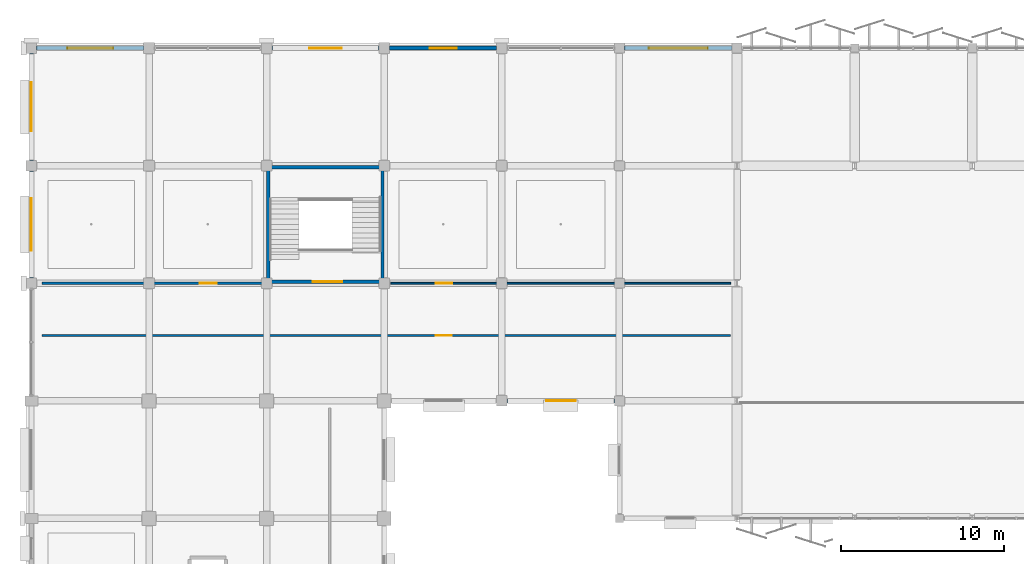
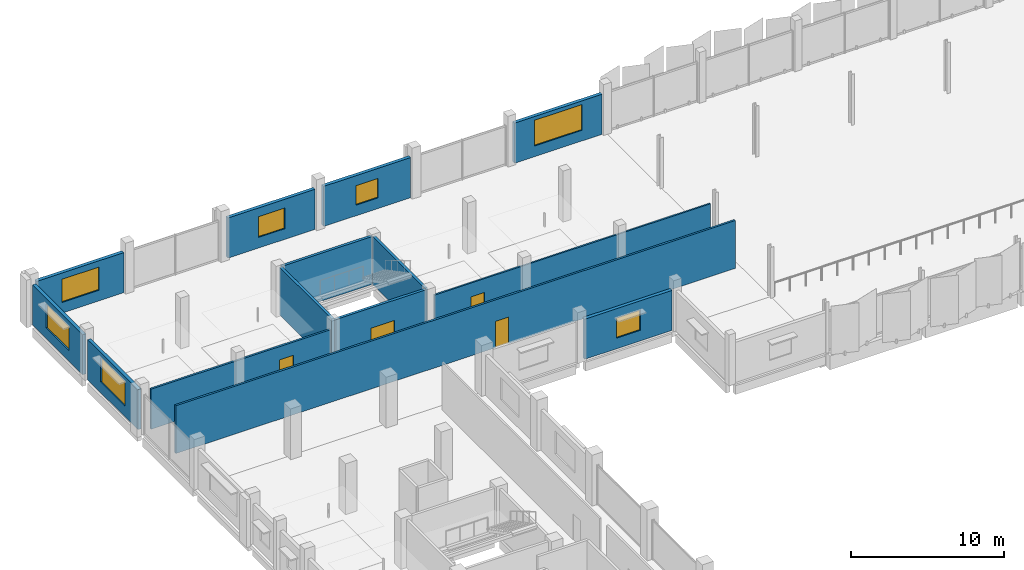
# One storey, part 81 of 107: 14 walls, 7 windows, 4 doors, 11 openings.
"""IFC4 building model written with IfcOpenShell, lengths in metres."""

import ifcopenshell
import ifcopenshell.guid

model = None  # the IFC model being written
_history = None  # IfcOwnerHistory: only IFC2X3 demands one
_inside = {}  # id of a spatial element -> (the spatial element, [elements in it])
_under = {}  # id of a project, library or spatial element -> (it, [spatial elements below it])
_declared = {}  # id of a project -> (the project, [libraries it declares])
_typed = {}  # id of a type object -> (the type object, [elements of that type])
_made_of = {}  # id of a material, layer set ... -> (it, [elements and type objects made of it])


def new_model(schema):
    """Start an empty IFC model of exactly this schema.

    Asked for "IFC4X3", IfcOpenShell would pick the latest addendum, in which some entities
    have other attributes; the version numbers below select the first issue.
    IFC2X3 requires an IfcOwnerHistory on every rooted entity: one is made here for all.
    """
    global model, _history
    if schema == "IFC4X3":
        model = ifcopenshell.file(schema_version=(4, 3, 0, 0))
    else:
        model = ifcopenshell.file(schema=schema)
    _inside.clear()
    _under.clear()
    _declared.clear()
    _typed.clear()
    _made_of.clear()
    _history = None
    if model.schema == "IFC2X3":
        org = make("IfcOrganization", Name="unknown")
        user = make(
            "IfcPersonAndOrganization",
            ThePerson=make("IfcPerson", FamilyName="unknown"),
            TheOrganization=org,
        )
        app = make(
            "IfcApplication",
            ApplicationDeveloper=org,
            Version="unknown",
            ApplicationFullName="unknown",
            ApplicationIdentifier="unknown",
        )
        _history = make(
            "IfcOwnerHistory",
            OwningUser=user,
            OwningApplication=app,
            ChangeAction="ADDED",
            CreationDate=0,
        )
    return model


def make(cls, **values):
    """One entity of the class cls with the attributes given. An attribute that is None is left unset."""
    return model.create_entity(
        cls, **{name: value for name, value in values.items() if value is not None}
    )


def rooted(cls, **values):
    """An entity with a GlobalId (a new one), such as an element, a storey or a relation."""
    return make(cls, GlobalId=ifcopenshell.guid.new(), OwnerHistory=_history, **values)


def si_unit(unit_type, name, prefix=None):
    """IfcSIUnit, for example si_unit("LENGTHUNIT", "METRE", prefix="MILLI")."""
    return make("IfcSIUnit", UnitType=unit_type, Prefix=prefix, Name=name)


def assignment(units):
    """IfcUnitAssignment: the units of a project."""
    return None if units is None else make("IfcUnitAssignment", Units=units)


def point(xyz):
    """IfcCartesianPoint."""
    return None if xyz is None else make("IfcCartesianPoint", Coordinates=xyz)


def direction(xyz):
    """IfcDirection."""
    return None if xyz is None else make("IfcDirection", DirectionRatios=xyz)


def frame(location, z_axis=None, x_axis=None):
    """IfcAxis2Placement3D, a coordinate frame: its origin and axes. An axis left out is left unset."""
    return make(
        "IfcAxis2Placement3D",
        Location=point(location),
        Axis=direction(z_axis),
        RefDirection=direction(x_axis),
    )


def frame_2d(location, x_axis=None):
    """IfcAxis2Placement2D, a coordinate frame in the plane: its origin and x axis."""
    return make(
        "IfcAxis2Placement2D", Location=point(location), RefDirection=direction(x_axis)
    )


def origin():
    """The frame at (0, 0, 0) with its axes left unset."""
    return frame((0.0, 0.0, 0.0))


def place(relative_to, where):
    """IfcLocalPlacement: puts the frame where relative to a parent placement (None: the world)."""
    return make(
        "IfcLocalPlacement", PlacementRelTo=relative_to, RelativePlacement=where
    )


def context(
    kind, dimensions, precision=None, world=None, true_north=None, identifier=None
):
    """IfcGeometricRepresentationContext, for example the 3D "Model" context."""
    return make(
        "IfcGeometricRepresentationContext",
        ContextIdentifier=identifier,
        ContextType=kind,
        CoordinateSpaceDimension=dimensions,
        Precision=precision,
        WorldCoordinateSystem=world,
        TrueNorth=true_north,
    )


def subcontext(parent, identifier, kind, view, scale=None):
    """IfcGeometricRepresentationSubContext, for example "Body" below "Model"."""
    return make(
        "IfcGeometricRepresentationSubContext",
        ContextIdentifier=identifier,
        ContextType=kind,
        ParentContext=parent,
        TargetScale=scale,
        TargetView=view,
    )


def project(units=None, contexts=None):
    """IfcProject with its units and contexts."""
    return rooted(
        "IfcProject",
        Name="project",
        RepresentationContexts=contexts,
        UnitsInContext=assignment(units),
    )


def spatial(cls, under=None, at=None, **own):
    """A site, building, storey or space (cls), placed at a placement, below another one or the project."""
    s = rooted(cls, ObjectPlacement=at, **own)
    if under is not None:
        _under.setdefault(under.id(), (under, []))[1].append(s)
    return s


def profile(cls, at=None, kind="AREA", **sizes):
    """A parametric profile (cls). Its sizes go by their IFC names, for example OverallWidth=200.0."""
    return make(cls, ProfileType=kind, Position=at, **sizes)


def rectangle(**sizes):
    """IfcRectangleProfileDef."""
    return profile("IfcRectangleProfileDef", **sizes)


def extrude(swept, where, along, depth):
    """IfcExtrudedAreaSolid: the profile swept, set in the frame where, extruded along a direction by depth."""
    return make(
        "IfcExtrudedAreaSolid",
        SweptArea=swept,
        Position=where,
        ExtrudedDirection=direction(along),
        Depth=depth,
    )


def shape(context_of_items, identifier, shape_type, items):
    """IfcShapeRepresentation: the items that make up one representation, for example the "Body"."""
    return make(
        "IfcShapeRepresentation",
        ContextOfItems=context_of_items,
        RepresentationIdentifier=identifier,
        RepresentationType=shape_type,
        Items=items,
    )


def material(Name=None, Category=None):
    """IfcMaterial."""
    return make("IfcMaterial", Name=Name, Category=Category)


def layer(
    of_material, thickness, ventilated=None, Name=None, Category=None, Priority=None
):
    """IfcMaterialLayer: one layer of a wall or slab, of a material (None: an air gap)."""
    return make(
        "IfcMaterialLayer",
        Material=of_material,
        LayerThickness=thickness,
        IsVentilated=ventilated,
        Name=Name,
        Category=Category,
        Priority=Priority,
    )


def layer_set(layers, Name=None):
    """IfcMaterialLayerSet."""
    return make("IfcMaterialLayerSet", MaterialLayers=layers, LayerSetName=Name)


def made_of(thing, what):
    """Note that an element or type object is made of a material, layer set ...; save() writes the relation."""
    if what is not None:
        _made_of.setdefault(what.id(), (what, []))[1].append(thing)
    return thing


def type_object(cls, material=None, **own):
    """A type object (cls), such as IfcWallType, which elements share."""
    return made_of(rooted(cls, **own), material)


def element(
    cls,
    number,
    at=None,
    inside=None,
    cuts=None,
    type_object=None,
    material=None,
    context=None,
    identifier="Body",
    shape_type=None,
    held_by="IfcProductDefinitionShape",
    body=None,
    shapes=None,
    **own,
):
    """One element of the class cls, such as IfcWall. Its Tag is "e" and its number.

    at: its placement. inside: the storey or other place that contains it. cuts: it is an
    opening in that element (IfcRelVoidsElement). A single representation is given by context,
    identifier, shape_type and body (its items); several are given by shapes. held_by: the class
    of the entity that holds the representations. save() writes the other relations.
    """
    e = rooted(cls, Tag="e%d" % number, ObjectPlacement=at, **own)
    if body is not None:
        shapes = [shape(context, identifier, shape_type, body)]
    if shapes is not None:
        e.Representation = make(held_by, Representations=shapes)
    if inside is not None:
        _inside.setdefault(inside.id(), (inside, []))[1].append(e)
    if cuts is not None:
        rooted(
            "IfcRelVoidsElement", RelatingBuildingElement=cuts, RelatedOpeningElement=e
        )
    if type_object is not None:
        _typed.setdefault(type_object.id(), (type_object, []))[1].append(e)
    return made_of(e, material)


def fill(opening, filler):
    """IfcRelFillsElement: the door or window that sits in an opening."""
    return rooted(
        "IfcRelFillsElement",
        RelatingOpeningElement=opening,
        RelatedBuildingElement=filler,
    )


def aggregate(whole, parts):
    """IfcRelAggregates: a whole, such as a stair, and the parts it consists of."""
    return rooted("IfcRelAggregates", RelatingObject=whole, RelatedObjects=parts)


def save(model, path):
    """Write the relations noted so far, then the file.

    IfcRelAggregates (storeys below a building ...), IfcRelContainedInSpatialStructure (elements
    in a storey), IfcRelDefinesByType, IfcRelAssociatesMaterial and IfcRelDeclares: one each for
    every whole, place, type object, material and project.
    """
    for whole, parts in _under.values():
        aggregate(whole, parts)
    for where, things in _inside.values():
        rooted(
            "IfcRelContainedInSpatialStructure",
            RelatedElements=things,
            RelatingStructure=where,
        )
    for kind, things in _typed.values():
        rooted("IfcRelDefinesByType", RelatedObjects=things, RelatingType=kind)
    for what, things in _made_of.values():
        rooted("IfcRelAssociatesMaterial", RelatedObjects=things, RelatingMaterial=what)
    for by, libraries in _declared.values():
        rooted("IfcRelDeclares", RelatingContext=by, RelatedDefinitions=libraries)
    model.write(path)


model = new_model("IFC4")

# Units and contexts
model_context = context("Model", 3, precision=1e-05, world=origin(), true_north=direction((0.0, 1.0)))
body_context = subcontext(model_context, "Body", "Model", "MODEL_VIEW")
ifc_project = project(units=[si_unit("LENGTHUNIT", "METRE"), si_unit("AREAUNIT", "SQUARE_METRE"), si_unit("VOLUMEUNIT", "CUBIC_METRE"), si_unit("PLANEANGLEUNIT", "RADIAN"), si_unit("MASSUNIT", "GRAM", prefix="KILO")], contexts=[model_context])

# Site, building, storey
site_placement = place(None, origin())
site = spatial("IfcSite", under=ifc_project, at=site_placement, CompositionType="ELEMENT")
building_placement = place(site_placement, origin())
building = spatial("IfcBuilding", under=site, at=building_placement, Name="Kangsadwip Square Police Headquarters", CompositionType="ELEMENT")
storey_placement = place(building_placement, frame((0.0, 0.0, 5.39990234375)))
storey = spatial("IfcBuildingStorey", under=building, at=storey_placement, Name="L01", CompositionType="ELEMENT", Elevation=5.39990234375)

# Wall, opening, door
ifc_material_1 = material(Name="Fire-rated double gypsum board acoustic stud partition", Category="masonry")
ifc_layer_1 = layer(ifc_material_1, 0.1201171875)
ifc_layer_set_1 = layer_set([ifc_layer_1], Name="Fire-rated double gypsum board acoustic stud partition")
wall_type_1 = type_object("IfcWallType", Name="AcousticPartition120", PredefinedType="PARTITIONING", material=ifc_layer_set_1)
wall_1_placement = place(storey_placement, frame((22.0, 100.800048828125, 0.0), z_axis=(0.0, 0.0, 1.0), x_axis=(1.0, 0.0, 0.0)))
wall_1 = element("IfcWall", 1, at=wall_1_placement, inside=storey, type_object=wall_type_1, Name="Interior Wall WI-L01-0731", PredefinedType="PARTITIONING", context=body_context, shape_type="SweptSolid", body=[
    extrude(rectangle(XDim=20.800048828125, YDim=0.1201171875, at=frame_2d((10.39990234375, 0.0))), origin(), (0.0, 0.0, 1.0), 3.2001953125),
])
opening_1_placement = place(wall_1_placement, frame((2.756103515625, 0.0, 0.0)))
opening_1 = element("IfcOpeningElement", 2, at=opening_1_placement, cuts=wall_1, Name="Opening ID-10B", PredefinedType="OPENING", context=body_context, shape_type="SweptSolid", body=[
    extrude(rectangle(XDim=1.0, YDim=2.10009765625, at=frame_2d((0.5, 1.050048828125))), frame((0.0, 0.070068359375, 0.0), z_axis=(0.0, -1.0, 0.0), x_axis=(1.0, 0.0, 0.0)), (0.0, 0.0, 1.0), 0.14013671875),
])
ifc_material_2 = material(Name="Solid-core seasoned teak hardwood architectural door", Category="wood")
door_type_1 = type_object("IfcDoorType", Name="OfficeDoor1000x2100", OperationType="NOTDEFINED", PredefinedType="DOOR", material=ifc_material_2)
door_1_placement = place(opening_1_placement, origin())
door_1 = element("IfcDoor", 3, at=door_1_placement, inside=storey, type_object=door_type_1, Name="Interior Door ID-L01-0161", OperationType="SINGLE_SWING_RIGHT", OverallHeight=2.10009765625, OverallWidth=1.0, PredefinedType="DOOR", context=body_context, shape_type="SweptSolid", body=[
    extrude(rectangle(XDim=1.0, YDim=2.10009765625, at=frame_2d((0.5, 1.050048828125))), frame((0.0, 0.02490234375, 0.0), z_axis=(0.0, -1.0, 0.0), x_axis=(1.0, 0.0, 0.0)), (0.0, 0.0, 1.0), 0.050048828125),
])
fill(opening_1, door_1)

ifc_material_3 = material(Name="Autoclaved aerated concrete blockwork masonry", Category="masonry")
ifc_layer_2 = layer(ifc_material_3, 0.14990234375)
ifc_layer_set_2 = layer_set([ifc_layer_2], Name="Autoclaved aerated concrete blockwork masonry")
wall_type_2 = type_object("IfcWallType", Name="BlockPartition150", PredefinedType="PARTITIONING", material=ifc_layer_set_2)
wall_2_placement = place(storey_placement, frame((0.64990234375, 100.800048828125, 0.0), z_axis=(0.0, 0.0, 1.0), x_axis=(1.0, 0.0, 0.0)))
wall_2 = element("IfcWall", 4, at=wall_2_placement, inside=storey, type_object=wall_type_2, Name="Interior Wall WI-L01-0730", PredefinedType="PARTITIONING", context=body_context, shape_type="SweptSolid", body=[
    extrude(rectangle(XDim=13.5, YDim=0.14990234375, at=frame_2d((6.75, 0.0))), origin(), (0.0, 0.0, 1.0), 3.2001953125),
])
opening_2_placement = place(wall_2_placement, frame((9.656982421875, 0.0, 0.0)))
opening_2 = element("IfcOpeningElement", 5, at=opening_2_placement, cuts=wall_2, Name="Opening ID-10A", PredefinedType="OPENING", context=body_context, shape_type="SweptSolid", body=[
    extrude(rectangle(XDim=1.050048828125, YDim=2.14990234375, at=frame_2d((0.52490234375, 1.074951171875))), frame((0.0, 0.0849609375, 0.0), z_axis=(0.0, -1.0, 0.0), x_axis=(1.0, 0.0, 0.0)), (0.0, 0.0, 1.0), 0.169921875),
])
ifc_material_4 = material(Name="Solid-core seasoned teak hardwood architectural door", Category="wood")
door_type_2 = type_object("IfcDoorType", Name="OfficeDoor1050x2150", OperationType="NOTDEFINED", PredefinedType="DOOR", material=ifc_material_4)
door_2_placement = place(opening_2_placement, origin())
door_2 = element("IfcDoor", 6, at=door_2_placement, inside=storey, type_object=door_type_2, Name="Interior Door ID-L01-0160", OperationType="SINGLE_SWING_LEFT", OverallHeight=2.14990234375, OverallWidth=1.050048828125, PredefinedType="DOOR", context=body_context, shape_type="SweptSolid", body=[
    extrude(rectangle(XDim=1.050048828125, YDim=2.14990234375, at=frame_2d((0.52490234375, 1.074951171875))), frame((0.0, 0.02490234375, 0.0), z_axis=(0.0, -1.0, 0.0), x_axis=(1.0, 0.0, 0.0)), (0.0, 0.0, 1.0), 0.050048828125),
])
fill(opening_2, door_2)

wall_3_placement = place(storey_placement, frame((0.64990234375, 97.60009765625, 0.0), z_axis=(0.0, 0.0, 1.0), x_axis=(1.0, 0.0, 0.0)))
wall_3 = element("IfcWall", 7, at=wall_3_placement, inside=storey, type_object=wall_type_2, Name="Interior Wall WI-L01-0732", PredefinedType="PARTITIONING", context=body_context, shape_type="SweptSolid", body=[
    extrude(rectangle(XDim=42.150146484375, YDim=0.14990234375, at=frame_2d((21.0751953125, 0.0))), origin(), (0.0, 0.0, 1.0), 3.81005859375),
])
opening_3_placement = place(wall_3_placement, frame((24.10009765625, 0.0, 0.0)))
opening_3 = element("IfcOpeningElement", 8, at=opening_3_placement, cuts=wall_3, Name="Opening ID-09A", PredefinedType="OPENING", context=body_context, shape_type="SweptSolid", body=[
    extrude(rectangle(XDim=0.97998046875, YDim=2.10009765625, at=frame_2d((0.489990234375, 1.050048828125))), frame((0.0, 0.0849609375, 0.0), z_axis=(0.0, -1.0, 0.0), x_axis=(1.0, 0.0, 0.0)), (0.0, 0.0, 1.0), 0.169921875),
])
ifc_material_5 = material(Name="Solid-core seasoned teak hardwood architectural door", Category="wood")
door_type_3 = type_object("IfcDoorType", Name="OfficeDoor980x2100", OperationType="NOTDEFINED", PredefinedType="DOOR", material=ifc_material_5)
door_3_placement = place(opening_3_placement, origin())
door_3 = element("IfcDoor", 9, at=door_3_placement, inside=storey, type_object=door_type_3, Name="Interior Door ID-L01-0162", OperationType="SINGLE_SWING_LEFT", OverallHeight=2.10009765625, OverallWidth=0.97998046875, PredefinedType="DOOR", context=body_context, shape_type="SweptSolid", body=[
    extrude(rectangle(XDim=0.97998046875, YDim=2.10009765625, at=frame_2d((0.489990234375, 1.050048828125))), frame((0.0, 0.02490234375, 0.0), z_axis=(0.0, -1.0, 0.0), x_axis=(1.0, 0.0, 0.0)), (0.0, 0.0, 1.0), 0.050048828125),
])
fill(opening_3, door_3)

# Wall, opening, window
ifc_material_6 = material(Name="Glazed architectural terracotta masonry rainscreen", Category="masonry")
ifc_layer_3 = layer(ifc_material_6, 0.25)
ifc_layer_set_3 = layer_set([ifc_layer_3], Name="Glazed architectural terracotta masonry rainscreen")
wall_type_3 = type_object("IfcWallType", Name="ChicagoTerracottaWall250", PredefinedType="SOLIDWALL", material=ifc_layer_set_3)
wall_4_placement = place(storey_placement, frame((29.1201171875, 93.60009765625, 0.0), z_axis=(0.0, 0.0, 1.0), x_axis=(1.0, 0.0, 0.0)))
wall_4 = element("IfcWall", 10, at=wall_4_placement, inside=storey, type_object=wall_type_3, Name="Exterior Wall WE-L01-238", PredefinedType="SOLIDWALL", context=body_context, shape_type="SweptSolid", body=[
    extrude(rectangle(XDim=6.5849609375, YDim=0.25, at=frame_2d((3.29248046875, 0.0))), origin(), (0.0, 0.0, 1.0), 3.195068359375),
])
opening_4_placement = place(wall_4_placement, frame((2.392578125, 0.0, 0.85009765625)))
opening_4 = element("IfcOpeningElement", 11, at=opening_4_placement, cuts=wall_4, Name="Opening WN-10", PredefinedType="OPENING", context=body_context, shape_type="SweptSolid", body=[
    extrude(rectangle(XDim=1.800048828125, YDim=1.60009765625, at=frame_2d((0.89990234375, 0.800048828125))), frame((0.0, 0.135009765625, 0.0), z_axis=(0.0, -1.0, 0.0), x_axis=(1.0, 0.0, 0.0)), (0.0, 0.0, 1.0), 0.27001953125),
])
ifc_material_7 = material(Name="Double-glazed solar-control low-E safety glass", Category="glass")
window_type_1 = type_object("IfcWindowType", Name="LabCleanViewWin1800x1600", PartitioningType="DOUBLE_PANEL_VERTICAL", PredefinedType="WINDOW", material=ifc_material_7)
window_1_placement = place(opening_4_placement, origin())
window_1 = element("IfcWindow", 12, at=window_1_placement, inside=storey, type_object=window_type_1, Name="Window WN-L01-0091", OverallHeight=1.60009765625, OverallWidth=1.800048828125, PartitioningType="SINGLE_PANEL", PredefinedType="WINDOW", context=body_context, shape_type="SweptSolid", body=[
    extrude(rectangle(XDim=1.800048828125, YDim=1.60009765625, at=frame_2d((0.89990234375, 0.800048828125))), frame((0.0, 0.030029296875, 0.0), z_axis=(0.0, -1.0, 0.0), x_axis=(1.0, 0.0, 0.0)), (0.0, 0.0, 1.0), 0.06005859375),
])
fill(opening_4, window_1)

wall_5_placement = place(storey_placement, frame((0.320068359375, 115.199951171875, 0.0), z_axis=(0.0, 0.0, 1.0), x_axis=(1.0, 0.0, 0.0)))
wall_5 = element("IfcWall", 13, at=wall_5_placement, inside=storey, type_object=wall_type_3, Name="Exterior Wall WE-L01-239", PredefinedType="SOLIDWALL", context=body_context, shape_type="SweptSolid", body=[
    extrude(rectangle(XDim=6.559814453125, YDim=0.25, at=frame_2d((3.27978515625, 0.0))), origin(), (0.0, 0.0, 1.0), 3.195068359375),
])
opening_5_placement = place(wall_5_placement, frame((1.8798828125, 0.0, 0.85009765625)))
opening_5 = element("IfcOpeningElement", 14, at=opening_5_placement, cuts=wall_5, Name="Opening WN-05", PredefinedType="OPENING", context=body_context, shape_type="SweptSolid", body=[
    extrude(rectangle(XDim=2.800048828125, YDim=1.85009765625, at=frame_2d((1.39990234375, 0.925048828125))), frame((0.0, 0.135009765625, 0.0), z_axis=(0.0, -1.0, 0.0), x_axis=(1.0, 0.0, 0.0)), (0.0, 0.0, 1.0), 0.27001953125),
])
ifc_material_8 = material(Name="Double-glazed solar-control low-E safety glass", Category="glass")
window_type_2 = type_object("IfcWindowType", Name="ChicagoDoubleMullWin2800x1850", PartitioningType="DOUBLE_PANEL_VERTICAL", PredefinedType="WINDOW", material=ifc_material_8)
window_2_placement = place(opening_5_placement, origin())
window_2 = element("IfcWindow", 15, at=window_2_placement, inside=storey, type_object=window_type_2, Name="Window WN-L01-0092", OverallHeight=1.85009765625, OverallWidth=2.800048828125, PartitioningType="SINGLE_PANEL", PredefinedType="WINDOW", context=body_context, shape_type="SweptSolid", body=[
    extrude(rectangle(XDim=2.800048828125, YDim=1.85009765625, at=frame_2d((1.39990234375, 0.925048828125))), frame((0.0, 0.030029296875, 0.0), z_axis=(0.0, -1.0, 0.0), x_axis=(1.0, 0.0, 0.0)), (0.0, 0.0, 1.0), 0.06005859375),
])
fill(opening_5, window_2)

wall_6_placement = place(storey_placement, frame((14.719970703125, 115.199951171875, 0.0), z_axis=(0.0, 0.0, 1.0), x_axis=(1.0, 0.0, 0.0)))
wall_6 = element("IfcWall", 16, at=wall_6_placement, inside=storey, type_object=wall_type_3, Name="Exterior Wall WE-L01-240", PredefinedType="SOLIDWALL", context=body_context, shape_type="SweptSolid", body=[
    extrude(rectangle(XDim=6.56005859375, YDim=0.25, at=frame_2d((3.280029296875, 0.0))), origin(), (0.0, 0.0, 1.0), 3.195068359375),
])
opening_6_placement = place(wall_6_placement, frame((2.280029296875, 0.0, 0.85009765625)))
opening_6 = element("IfcOpeningElement", 17, at=opening_6_placement, cuts=wall_6, Name="Opening WN-09", PredefinedType="OPENING", context=body_context, shape_type="SweptSolid", body=[
    extrude(rectangle(XDim=2.0, YDim=1.64990234375, at=frame_2d((1.0, 0.824951171875))), frame((0.0, 0.135009765625, 0.0), z_axis=(0.0, -1.0, 0.0), x_axis=(1.0, 0.0, 0.0)), (0.0, 0.0, 1.0), 0.27001953125),
])
ifc_material_9 = material(Name="Double-glazed solar-control low-E safety glass", Category="glass")
window_type_3 = type_object("IfcWindowType", Name="ChicagoDoubleMullWin2000x1650", PartitioningType="DOUBLE_PANEL_VERTICAL", PredefinedType="WINDOW", material=ifc_material_9)
window_3_placement = place(opening_6_placement, origin())
window_3 = element("IfcWindow", 18, at=window_3_placement, inside=storey, type_object=window_type_3, Name="Window WN-L01-0093", OverallHeight=1.64990234375, OverallWidth=2.0, PartitioningType="SINGLE_PANEL", PredefinedType="WINDOW", context=body_context, shape_type="SweptSolid", body=[
    extrude(rectangle(XDim=2.0, YDim=1.64990234375, at=frame_2d((1.0, 0.824951171875))), frame((0.0, 0.030029296875, 0.0), z_axis=(0.0, -1.0, 0.0), x_axis=(1.0, 0.0, 0.0)), (0.0, 0.0, 1.0), 0.06005859375),
])
fill(opening_6, window_3)

wall_7_placement = place(storey_placement, frame((21.919921875, 115.199951171875, 0.0), z_axis=(0.0, 0.0, 1.0), x_axis=(1.0, 0.0, 0.0)))
wall_7 = element("IfcWall", 19, at=wall_7_placement, inside=storey, type_object=wall_type_3, Name="Exterior Wall WE-L01-241", PredefinedType="SOLIDWALL", context=body_context, shape_type="SweptSolid", body=[
    extrude(rectangle(XDim=6.56005859375, YDim=0.25, at=frame_2d((3.280029296875, 0.0))), origin(), (0.0, 0.0, 1.0), 3.195068359375),
])
opening_7_placement = place(wall_7_placement, frame((2.455078125, 0.0, 0.85009765625)))
opening_7 = element("IfcOpeningElement", 20, at=opening_7_placement, cuts=wall_7, Name="Opening WN-11", PredefinedType="OPENING", context=body_context, shape_type="SweptSolid", body=[
    extrude(rectangle(XDim=1.64990234375, YDim=1.550048828125, at=frame_2d((0.824951171875, 0.77490234375))), frame((0.0, 0.135009765625, 0.0), z_axis=(0.0, -1.0, 0.0), x_axis=(1.0, 0.0, 0.0)), (0.0, 0.0, 1.0), 0.27001953125),
])
ifc_material_10 = material(Name="Double-glazed solar-control low-E safety glass", Category="glass")
window_type_4 = type_object("IfcWindowType", Name="LabCleanViewWin1650x1550", PartitioningType="SINGLE_PANEL", PredefinedType="WINDOW", material=ifc_material_10)
window_4_placement = place(opening_7_placement, origin())
window_4 = element("IfcWindow", 21, at=window_4_placement, inside=storey, type_object=window_type_4, Name="Window WN-L01-0094", OverallHeight=1.550048828125, OverallWidth=1.64990234375, PartitioningType="SINGLE_PANEL", PredefinedType="WINDOW", context=body_context, shape_type="SweptSolid", body=[
    extrude(rectangle(XDim=1.64990234375, YDim=1.550048828125, at=frame_2d((0.824951171875, 0.77490234375))), frame((0.0, 0.030029296875, 0.0), z_axis=(0.0, -1.0, 0.0), x_axis=(1.0, 0.0, 0.0)), (0.0, 0.0, 1.0), 0.06005859375),
])
fill(opening_7, window_4)

wall_8_placement = place(storey_placement, frame((36.294921875, 115.199951171875, 0.0), z_axis=(0.0, 0.0, 1.0), x_axis=(1.0, 0.0, 0.0)))
wall_8 = element("IfcWall", 22, at=wall_8_placement, inside=storey, type_object=wall_type_3, Name="Exterior Wall WE-L01-242", PredefinedType="SOLIDWALL", context=body_context, shape_type="SweptSolid", body=[
    extrude(rectangle(XDim=6.610107421875, YDim=0.25, at=frame_2d((3.30517578125, 0.0))), origin(), (0.0, 0.0, 1.0), 3.195068359375),
])
opening_8_placement = place(wall_8_placement, frame((1.5048828125, 0.0, 0.85009765625)))
opening_8 = element("IfcOpeningElement", 23, at=opening_8_placement, cuts=wall_8, Name="Opening WN-01", PredefinedType="OPENING", context=body_context, shape_type="SweptSolid", body=[
    extrude(rectangle(XDim=3.60009765625, YDim=2.050048828125, at=frame_2d((1.800048828125, 1.02490234375))), frame((0.0, 0.135009765625, 0.0), z_axis=(0.0, -1.0, 0.0), x_axis=(1.0, 0.0, 0.0)), (0.0, 0.0, 1.0), 0.27001953125),
])
ifc_material_11 = material(Name="Double-glazed solar-control low-E safety glass", Category="glass")
window_type_5 = type_object("IfcWindowType", Name="ChicagoTripartiteWin3600x2050", PartitioningType="TRIPLE_PANEL_HORIZONTAL", PredefinedType="WINDOW", material=ifc_material_11)
window_5_placement = place(opening_8_placement, origin())
window_5 = element("IfcWindow", 24, at=window_5_placement, inside=storey, type_object=window_type_5, Name="Window WN-L01-0095", OverallHeight=2.050048828125, OverallWidth=3.60009765625, PartitioningType="SINGLE_PANEL", PredefinedType="WINDOW", context=body_context, shape_type="SweptSolid", body=[
    extrude(rectangle(XDim=3.60009765625, YDim=2.050048828125, at=frame_2d((1.800048828125, 1.02490234375))), frame((0.0, 0.030029296875, 0.0), z_axis=(0.0, -1.0, 0.0), x_axis=(1.0, 0.0, 0.0)), (0.0, 0.0, 1.0), 0.06005859375),
])
fill(opening_8, window_5)

wall_9_placement = place(storey_placement, frame((0.0, 101.1201171875, 0.0), z_axis=(0.0, 0.0, 1.0), x_axis=(0.0, 1.0, 0.0)))
wall_9 = element("IfcWall", 25, at=wall_9_placement, inside=storey, type_object=wall_type_3, Name="Exterior Wall WE-L01-259", PredefinedType="SOLIDWALL", context=body_context, shape_type="SweptSolid", body=[
    extrude(rectangle(XDim=6.559814453125, YDim=0.25, at=frame_2d((3.27978515625, 0.0))), origin(), (0.0, 0.0, 1.0), 3.195068359375),
])
opening_9_placement = place(wall_9_placement, frame((1.679931640625, 0.0, 0.85009765625)))
opening_9 = element("IfcOpeningElement", 26, at=opening_9_placement, cuts=wall_9, Name="Opening WN-03", PredefinedType="OPENING", context=body_context, shape_type="SweptSolid", body=[
    extrude(rectangle(XDim=3.199951171875, YDim=1.949951171875, at=frame_2d((1.60009765625, 0.97509765625))), frame((0.0, 0.135009765625, 0.0), z_axis=(0.0, -1.0, 0.0), x_axis=(1.0, 0.0, 0.0)), (0.0, 0.0, 1.0), 0.27001953125),
])
ifc_material_12 = material(Name="Double-glazed solar-control low-E safety glass", Category="glass")
window_type_6 = type_object("IfcWindowType", Name="ChicagoTripartiteWin3200x1950", PartitioningType="TRIPLE_PANEL_HORIZONTAL", PredefinedType="WINDOW", material=ifc_material_12)
window_6_placement = place(opening_9_placement, origin())
window_6 = element("IfcWindow", 27, at=window_6_placement, inside=storey, type_object=window_type_6, Name="Window WN-L01-0112", OverallHeight=1.949951171875, OverallWidth=3.199951171875, PartitioningType="SINGLE_PANEL", PredefinedType="WINDOW", context=body_context, shape_type="SweptSolid", body=[
    extrude(rectangle(XDim=3.199951171875, YDim=1.949951171875, at=frame_2d((1.60009765625, 0.97509765625))), frame((0.0, 0.030029296875, 0.0), z_axis=(0.0, -1.0, 0.0), x_axis=(1.0, 0.0, 0.0)), (0.0, 0.0, 1.0), 0.06005859375),
])
fill(opening_9, window_6)

wall_10_placement = place(storey_placement, frame((0.0, 108.320068359375, 0.0), z_axis=(0.0, 0.0, 1.0), x_axis=(0.0, 1.0, 0.0)))
wall_10 = element("IfcWall", 28, at=wall_10_placement, inside=storey, type_object=wall_type_3, Name="Exterior Wall WE-L01-260", PredefinedType="SOLIDWALL", context=body_context, shape_type="SweptSolid", body=[
    extrude(rectangle(XDim=6.559814453125, YDim=0.25, at=frame_2d((3.27978515625, 0.0))), origin(), (0.0, 0.0, 1.0), 3.195068359375),
])
opening_10_placement = place(wall_10_placement, frame((1.780029296875, 0.0, 0.85009765625)))
opening_10 = element("IfcOpeningElement", 29, at=opening_10_placement, cuts=wall_10, Name="Opening WN-04", PredefinedType="OPENING", context=body_context, shape_type="SweptSolid", body=[
    extrude(rectangle(XDim=3.0, YDim=1.89990234375, at=frame_2d((1.5, 0.949951171875))), frame((0.0, 0.135009765625, 0.0), z_axis=(0.0, -1.0, 0.0), x_axis=(1.0, 0.0, 0.0)), (0.0, 0.0, 1.0), 0.27001953125),
])
ifc_material_13 = material(Name="Double-glazed solar-control low-E safety glass", Category="glass")
window_type_7 = type_object("IfcWindowType", Name="ChicagoTripartiteWin3000x1900", PartitioningType="TRIPLE_PANEL_HORIZONTAL", PredefinedType="WINDOW", material=ifc_material_13)
window_7_placement = place(opening_10_placement, origin())
window_7 = element("IfcWindow", 30, at=window_7_placement, inside=storey, type_object=window_type_7, Name="Window WN-L01-0113", OverallHeight=1.89990234375, OverallWidth=3.0, PartitioningType="SINGLE_PANEL", PredefinedType="WINDOW", context=body_context, shape_type="SweptSolid", body=[
    extrude(rectangle(XDim=3.0, YDim=1.89990234375, at=frame_2d((1.5, 0.949951171875))), frame((0.0, 0.030029296875, 0.0), z_axis=(0.0, -1.0, 0.0), x_axis=(1.0, 0.0, 0.0)), (0.0, 0.0, 1.0), 0.06005859375),
])
fill(opening_10, window_7)

# Wall, opening, door
ifc_material_14 = material(Name="Concrete M40 (40 MPa)", Category="concrete")
ifc_layer_4 = layer(ifc_material_14, 0.199951171875)
ifc_layer_set_4 = layer_set([ifc_layer_4], Name="Concrete M40 (40 MPa)")
wall_type_4 = type_object("IfcWallType", Name="CoreShearWall200", PredefinedType="SHEAR", material=ifc_layer_set_4)
wall_11_placement = place(storey_placement, frame((14.60009765625, 100.89990234375, 0.0), z_axis=(0.0, 0.0, 1.0), x_axis=(1.0, 0.0, 0.0)))
wall_11 = element("IfcWall", 31, at=wall_11_placement, inside=storey, type_object=wall_type_4, Name="Interior Wall WI-L01-0205", PredefinedType="SHEAR", context=body_context, shape_type="SweptSolid", body=[
    extrude(rectangle(XDim=6.7998046875, YDim=0.199951171875, at=frame_2d((3.39990234375, 0.0))), origin(), (0.0, 0.0, 1.0), 3.81005859375),
])
opening_11_placement = place(wall_11_placement, frame((2.632080078125, 0.0, 0.0)))
opening_11 = element("IfcOpeningElement", 32, at=opening_11_placement, cuts=wall_11, Name="Opening FD-18", PredefinedType="OPENING", context=body_context, shape_type="SweptSolid", body=[
    extrude(rectangle(XDim=1.800048828125, YDim=2.199951171875, at=frame_2d((0.89990234375, 1.10009765625))), frame((0.0, 0.10986328125, 0.0), z_axis=(0.0, -1.0, 0.0), x_axis=(1.0, 0.0, 0.0)), (0.0, 0.0, 1.0), 0.219970703125),
])
ifc_material_15 = material(Name="Insulated galvanized steel fire-rated door assembly", Category="steel")
door_type_4 = type_object("IfcDoorType", Name="StairFireDoor1800x2200", OperationType="DOUBLE_DOOR_SINGLE_SWING", PredefinedType="DOOR", material=ifc_material_15)
door_4_placement = place(opening_11_placement, origin())
door_4 = element("IfcDoor", 33, at=door_4_placement, inside=storey, type_object=door_type_4, Name="Interior Door ID-L01-0047", OperationType="DOUBLE_DOOR_SINGLE_SWING", OverallHeight=2.199951171875, OverallWidth=1.800048828125, PredefinedType="DOOR", context=body_context, shape_type="SweptSolid", body=[
    extrude(rectangle(XDim=1.800048828125, YDim=2.199951171875, at=frame_2d((0.89990234375, 1.10009765625))), frame((0.0, 0.02490234375, 0.0), z_axis=(0.0, -1.0, 0.0), x_axis=(1.0, 0.0, 0.0)), (0.0, 0.0, 1.0), 0.050048828125),
])
fill(opening_11, door_4)

# Walls
wall_12_placement = place(storey_placement, frame((14.60009765625, 107.89990234375, 0.0), z_axis=(0.0, 0.0, 1.0), x_axis=(1.0, 0.0, 0.0)))
element("IfcWall", 34, at=wall_12_placement, inside=storey, type_object=wall_type_4, Name="Interior Wall WI-L01-0206", PredefinedType="SHEAR", context=body_context, shape_type="SweptSolid", body=[
    extrude(rectangle(XDim=6.7998046875, YDim=0.199951171875, at=frame_2d((3.39990234375, 0.0))), origin(), (0.0, 0.0, 1.0), 3.81005859375),
])
for number, where, z_axis, x_axis, name in (
    (35, (14.5, 101.0, 0.0), (0.0, 0.0, 1.0), (0.0, 1.0, 0.0), "Interior Wall WI-L01-0207"),
    (36, (21.5, 101.0, 0.0), (0.0, 0.0, 1.0), (0.0, 1.0, 0.0), "Interior Wall WI-L01-0208"),
):
    element("IfcWall", number, at=place(storey_placement, frame(where, z_axis=z_axis, x_axis=x_axis)), inside=storey, type_object=wall_type_4, Name=name, PredefinedType="SHEAR", context=body_context, shape_type="SweptSolid", body=[
        extrude(rectangle(XDim=6.800048828125, YDim=0.199951171875, at=frame_2d((3.39990234375, 0.0))), origin(), (0.0, 0.0, 1.0), 3.81005859375),
    ])

save(model, "model.ifc")
